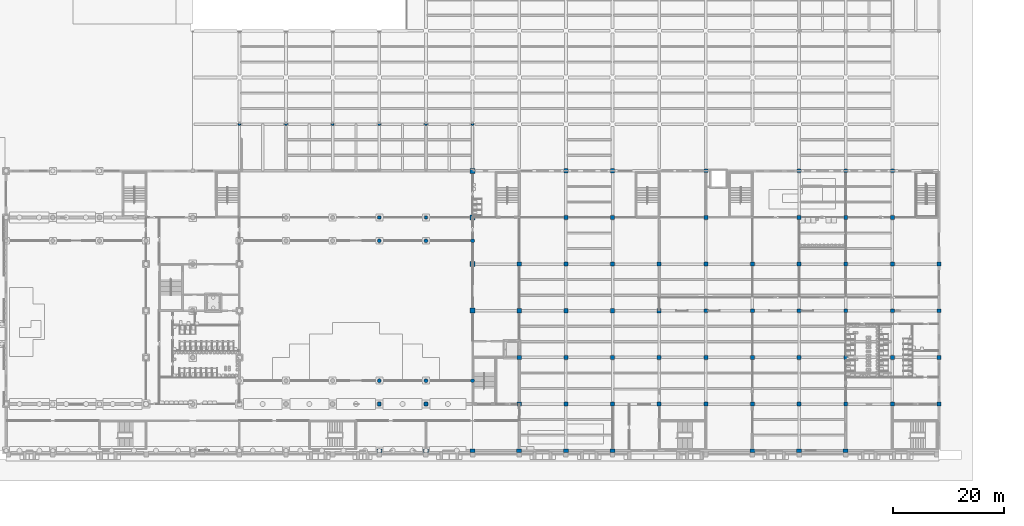
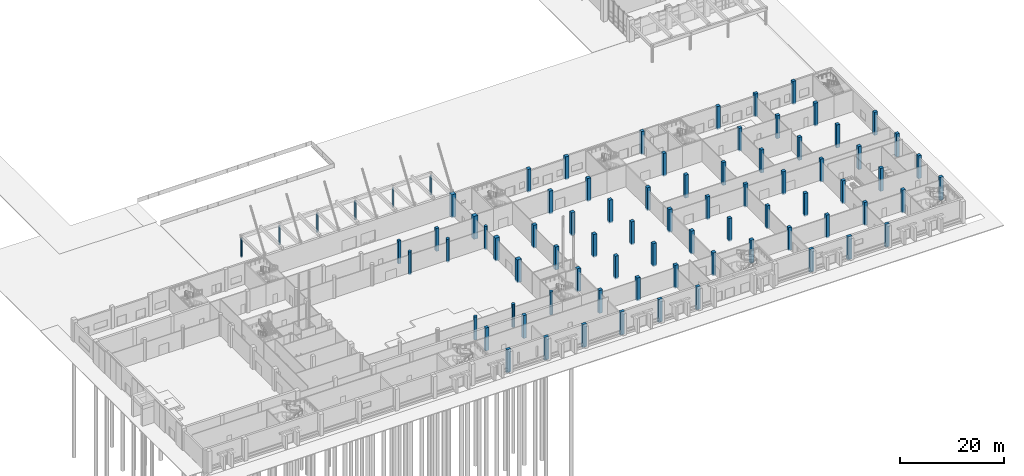
# One storey, part 3 of 74: 81 columns.
"""IFC4 building model written with IfcOpenShell, lengths in metres."""

from ifc_helpers import new_model, si_unit, direction, frame, origin, origin_2d, place, context, subcontext, project, spatial, rectangle, circle, extrude, material, material_profile, profile_set, type_object, element, save


model = new_model("IFC4")

# Units and contexts
model_context = context("Model", 3, precision=1e-05, world=origin(), true_north=direction((0.0, 1.0)))
body_context = subcontext(model_context, "Body", "Model", "MODEL_VIEW")
ifc_project = project(units=[si_unit("LENGTHUNIT", "METRE"), si_unit("AREAUNIT", "SQUARE_METRE"), si_unit("VOLUMEUNIT", "CUBIC_METRE"), si_unit("PLANEANGLEUNIT", "RADIAN"), si_unit("MASSUNIT", "GRAM", prefix="KILO")], contexts=[model_context])

# Site, building, storey
site_placement = place(None, origin())
site = spatial("IfcSite", under=ifc_project, at=site_placement, CompositionType="ELEMENT")
building_placement = place(site_placement, origin())
building = spatial("IfcBuilding", under=site, at=building_placement, Name="Rulbaag Community and Learning Centre", CompositionType="ELEMENT")
storey_placement = place(building_placement, origin())
storey = spatial("IfcBuildingStorey", under=building, at=storey_placement, Name="L00", CompositionType="ELEMENT", Elevation=0.0)

# Columns
ifc_material_1 = material(Name="Concrete M40", Category="concrete")
ifc_material_profile_1 = material_profile(ifc_material_1, rectangle(XDim=0.89990234375, YDim=0.60009765625, at=origin_2d()), Name="RC900x600")
ifc_profile_set_1 = profile_set([ifc_material_profile_1], Name="Concrete M40")
column_type_1 = type_object("IfcColumnType", Name="C1 Pilaster 900x600 Concrete M40", PredefinedType="PILASTER", material=ifc_profile_set_1)
for number, where, z_axis, x_axis, name in (
    (1, (67.199951171875, 0.0, -0.300048828125), (0.0, 0.0, 1.0), (1.0, 0.0, 0.0), "COL-9A-L00"),
    (2, (75.60009765625, 0.0, -0.300048828125), (0.0, 0.0, 1.0), (1.0, 0.0, 0.0), "COL-10A-L00"),
    (3, (84.0, 0.0, -0.300048828125), (0.0, 0.0, 1.0), (1.0, 0.0, 0.0), "COL-11A-L00"),
    (4, (92.39990234375, 0.0, -0.300048828125), (0.0, 0.0, 1.0), (1.0, 0.0, 0.0), "COL-12A-L00"),
    (5, (100.800048828125, 0.0, -0.300048828125), (0.0, 0.0, 1.0), (1.0, 0.0, 0.0), "COL-13A-L00"),
    (6, (109.199951171875, 0.0, -0.300048828125), (0.0, 0.0, 1.0), (1.0, 0.0, 0.0), "COL-14A-L00"),
    (7, (134.39990234375, 0.0, -0.300048828125), (0.0, 0.0, 1.0), (1.0, 0.0, 0.0), "COL-17A-L00"),
    (8, (142.800048828125, 0.0, -0.300048828125), (0.0, 0.0, 1.0), (1.0, 0.0, 0.0), "COL-18A-L00"),
    (9, (151.199951171875, 0.0, -0.300048828125), (0.0, 0.0, 1.0), (1.0, 0.0, 0.0), "COL-19A-L00"),
):
    element("IfcColumn", number, at=place(storey_placement, frame(where, z_axis=z_axis, x_axis=x_axis)), inside=storey, type_object=column_type_1, Name=name, PredefinedType="PILASTER", context=body_context, shape_type="SweptSolid", body=[
        extrude(rectangle(XDim=0.89990234375, YDim=0.60009765625, at=origin_2d()), origin(), (0.0, 0.0, 1.0), 5.400146484375),
    ])
ifc_material_profile_2 = material_profile(ifc_material_1, circle(Radius=0.35009765625, at=origin_2d()), Name="RD700")
ifc_profile_set_2 = profile_set([ifc_material_profile_2], Name="Concrete M40")
column_type_2 = type_object("IfcColumnType", Name="C11 Circular column 700 Concrete M40", PredefinedType="COLUMN", material=ifc_profile_set_2)
for number, where, z_axis, x_axis, name in (
    (10, (67.199951171875, 12.60009765625, -0.300048828125), (0.0, 0.0, 1.0), (1.0, 0.0, 0.0), "COL-G67x12.6-L00"),
    (11, (67.199951171875, 37.800048828125, -0.300048828125), (0.0, 0.0, 1.0), (1.0, 0.0, 0.0), "COL-G67x37.8-L00"),
    (12, (75.60009765625, 12.60009765625, -0.300048828125), (0.0, 0.0, 1.0), (1.0, 0.0, 0.0), "COL-G76x12.6-L00"),
    (13, (75.60009765625, 37.800048828125, -0.300048828125), (0.0, 0.0, 1.0), (1.0, 0.0, 0.0), "COL-G76x37.8-L00"),
    (14, (84.0, 12.60009765625, -0.300048828125), (0.0, 0.0, 1.0), (1.0, 0.0, 0.0), "COL-G84x12.6-L00"),
    (15, (84.0, 37.800048828125, -0.300048828125), (0.0, 0.0, 1.0), (1.0, 0.0, 0.0), "COL-G84x37.8-L00"),
):
    element("IfcColumn", number, at=place(storey_placement, frame(where, z_axis=z_axis, x_axis=x_axis)), inside=storey, type_object=column_type_2, Name=name, PredefinedType="COLUMN", context=body_context, shape_type="SweptSolid", body=[
        extrude(circle(Radius=0.35009765625, at=origin_2d()), origin(), (0.0, 0.0, 1.0), 5.400146484375),
    ])
ifc_material_2 = material(Name="Concrete M60", Category="concrete")
ifc_material_profile_3 = material_profile(ifc_material_2, rectangle(XDim=0.89990234375, YDim=0.89990234375, at=origin_2d()), Name="RC900x900")
ifc_profile_set_3 = profile_set([ifc_material_profile_3], Name="Concrete M60")
column_type_3 = type_object("IfcColumnType", Name="C2 Column 900x900 Concrete M60", PredefinedType="COLUMN", material=ifc_profile_set_3)
for number, where, z_axis, x_axis, name in (
    (16, (84.0, 25.199951171875, -0.300048828125), (0.0, 0.0, 1.0), (1.0, 0.0, 0.0), "COL-11D-L00"),
    (17, (84.0, 33.60009765625, -0.300048828125), (0.0, 0.0, 1.0), (1.0, 0.0, 0.0), "COL-11E-L00"),
    (18, (84.0, 42.0, -0.300048828125), (0.0, 0.0, 1.0), (1.0, 0.0, 0.0), "COL-11F-L00"),
    (19, (84.0, 50.39990234375, -0.300048828125), (0.0, 0.0, 1.0), (1.0, 0.0, 0.0), "COL-11G-L00"),
):
    element("IfcColumn", number, at=place(storey_placement, frame(where, z_axis=z_axis, x_axis=x_axis)), inside=storey, type_object=column_type_3, Name=name, PredefinedType="COLUMN", context=body_context, shape_type="SweptSolid", body=[
        extrude(rectangle(XDim=0.89990234375, YDim=0.89990234375, at=origin_2d()), origin(), (0.0, 0.0, 1.0), 5.400146484375),
    ])
ifc_material_profile_4 = material_profile(ifc_material_1, rectangle(XDim=0.699951171875, YDim=0.699951171875, at=origin_2d()), Name="RC700x700")
ifc_profile_set_4 = profile_set([ifc_material_profile_4], Name="Concrete M40")
column_type_4 = type_object("IfcColumnType", Name="C5 Column 700x700 Concrete M40", PredefinedType="COLUMN", material=ifc_profile_set_4)
for number, where, z_axis, x_axis, name in (
    (20, (67.199951171875, 8.39990234375, -0.300048828125), (0.0, 0.0, 1.0), (1.0, 0.0, 0.0), "COL-9B-L00"),
    (21, (75.60009765625, 8.39990234375, -0.300048828125), (0.0, 0.0, 1.0), (1.0, 0.0, 0.0), "COL-10B-L00"),
    (22, (126.0, 8.39990234375, -0.300048828125), (0.0, 0.0, 1.0), (1.0, 0.0, 0.0), "COL-16B-L00"),
    (23, (126.0, 16.800048828125, -0.300048828125), (0.0, 0.0, 1.0), (1.0, 0.0, 0.0), "COL-16C-L00"),
    (24, (126.0, 25.199951171875, -0.300048828125), (0.0, 0.0, 1.0), (1.0, 0.0, 0.0), "COL-16D-L00"),
    (25, (126.0, 33.60009765625, -0.300048828125), (0.0, 0.0, 1.0), (1.0, 0.0, 0.0), "COL-16E-L00"),
    (26, (126.0, 42.0, -0.300048828125), (0.0, 0.0, 1.0), (1.0, 0.0, 0.0), "COL-16F-L00"),
    (27, (126.0, 50.39990234375, -0.300048828125), (0.0, 0.0, 1.0), (1.0, 0.0, 0.0), "COL-16G-L00"),
    (28, (134.39990234375, 8.39990234375, -0.300048828125), (0.0, 0.0, 1.0), (1.0, 0.0, 0.0), "COL-17B-L00"),
    (29, (134.39990234375, 16.800048828125, -0.300048828125), (0.0, 0.0, 1.0), (1.0, 0.0, 0.0), "COL-17C-L00"),
    (30, (134.39990234375, 25.199951171875, -0.300048828125), (0.0, 0.0, 1.0), (1.0, 0.0, 0.0), "COL-17D-L00"),
    (31, (134.39990234375, 33.60009765625, -0.300048828125), (0.0, 0.0, 1.0), (1.0, 0.0, 0.0), "COL-17E-L00"),
    (32, (142.800048828125, 8.39990234375, -0.300048828125), (0.0, 0.0, 1.0), (1.0, 0.0, 0.0), "COL-18B-L00"),
    (33, (142.800048828125, 16.800048828125, -0.300048828125), (0.0, 0.0, 1.0), (1.0, 0.0, 0.0), "COL-18C-L00"),
    (34, (142.800048828125, 25.199951171875, -0.300048828125), (0.0, 0.0, 1.0), (1.0, 0.0, 0.0), "COL-18D-L00"),
    (35, (142.800048828125, 33.60009765625, -0.300048828125), (0.0, 0.0, 1.0), (1.0, 0.0, 0.0), "COL-18E-L00"),
    (36, (142.800048828125, 42.0, -0.300048828125), (0.0, 0.0, 1.0), (1.0, 0.0, 0.0), "COL-18F-L00"),
    (37, (142.800048828125, 50.39990234375, -0.300048828125), (0.0, 0.0, 1.0), (1.0, 0.0, 0.0), "COL-18G-L00"),
    (38, (151.199951171875, 8.39990234375, -0.300048828125), (0.0, 0.0, 1.0), (1.0, 0.0, 0.0), "COL-19B-L00"),
    (39, (151.199951171875, 16.800048828125, -0.300048828125), (0.0, 0.0, 1.0), (1.0, 0.0, 0.0), "COL-19C-L00"),
    (40, (151.199951171875, 25.199951171875, -0.300048828125), (0.0, 0.0, 1.0), (1.0, 0.0, 0.0), "COL-19D-L00"),
    (41, (151.199951171875, 33.60009765625, -0.300048828125), (0.0, 0.0, 1.0), (1.0, 0.0, 0.0), "COL-19E-L00"),
    (42, (151.199951171875, 42.0, -0.300048828125), (0.0, 0.0, 1.0), (1.0, 0.0, 0.0), "COL-19F-L00"),
    (43, (151.199951171875, 50.39990234375, -0.300048828125), (0.0, 0.0, 1.0), (1.0, 0.0, 0.0), "COL-19G-L00"),
    (44, (159.60009765625, 8.39990234375, -0.300048828125), (0.0, 0.0, 1.0), (1.0, 0.0, 0.0), "COL-20B-L00"),
    (45, (159.60009765625, 16.800048828125, -0.300048828125), (0.0, 0.0, 1.0), (1.0, 0.0, 0.0), "COL-20C-L00"),
    (46, (159.60009765625, 25.199951171875, -0.300048828125), (0.0, 0.0, 1.0), (1.0, 0.0, 0.0), "COL-20D-L00"),
    (47, (159.60009765625, 33.60009765625, -0.300048828125), (0.0, 0.0, 1.0), (1.0, 0.0, 0.0), "COL-20E-L00"),
    (48, (159.60009765625, 42.0, -0.300048828125), (0.0, 0.0, 1.0), (1.0, 0.0, 0.0), "COL-20F-L00"),
    (49, (159.60009765625, 50.39990234375, -0.300048828125), (0.0, 0.0, 1.0), (1.0, 0.0, 0.0), "COL-20G-L00"),
    (50, (168.0, 8.39990234375, -0.300048828125), (0.0, 0.0, 1.0), (1.0, 0.0, 0.0), "COL-21B-L00"),
    (51, (168.0, 16.800048828125, -0.300048828125), (0.0, 0.0, 1.0), (1.0, 0.0, 0.0), "COL-21C-L00"),
    (52, (168.0, 25.199951171875, -0.300048828125), (0.0, 0.0, 1.0), (1.0, 0.0, 0.0), "COL-21D-L00"),
    (53, (168.0, 33.60009765625, -0.300048828125), (0.0, 0.0, 1.0), (1.0, 0.0, 0.0), "COL-21E-L00"),
):
    element("IfcColumn", number, at=place(storey_placement, frame(where, z_axis=z_axis, x_axis=x_axis)), inside=storey, type_object=column_type_4, Name=name, PredefinedType="COLUMN", context=body_context, shape_type="SweptSolid", body=[
        extrude(rectangle(XDim=0.699951171875, YDim=0.699951171875, at=origin_2d()), origin(), (0.0, 0.0, 1.0), 5.400146484375),
    ])
ifc_material_profile_5 = material_profile(ifc_material_1, rectangle(XDim=0.60009765625, YDim=0.60009765625, at=origin_2d()), Name="RC600x600")
ifc_profile_set_5 = profile_set([ifc_material_profile_5], Name="Concrete M40")
column_type_5 = type_object("IfcColumnType", Name="C7 Column 600x600 Concrete M40", PredefinedType="COLUMN", material=ifc_profile_set_5)
for number, where, z_axis, x_axis, name in (
    (54, (67.199951171875, 42.0, -0.300048828125), (0.0, 0.0, 1.0), (1.0, 0.0, 0.0), "COL-9F-L00"),
    (55, (75.60009765625, 42.0, -0.300048828125), (0.0, 0.0, 1.0), (1.0, 0.0, 0.0), "COL-10F-L00"),
):
    element("IfcColumn", number, at=place(storey_placement, frame(where, z_axis=z_axis, x_axis=x_axis)), inside=storey, type_object=column_type_5, Name=name, PredefinedType="COLUMN", context=body_context, shape_type="SweptSolid", body=[
        extrude(rectangle(XDim=0.60009765625, YDim=0.60009765625, at=origin_2d()), origin(), (0.0, 0.0, 1.0), 5.400146484375),
    ])
ifc_material_profile_6 = material_profile(ifc_material_1, rectangle(XDim=0.75, YDim=0.75, at=origin_2d()), Name="RC750x750")
ifc_profile_set_6 = profile_set([ifc_material_profile_6], Name="Concrete M40")
column_type_6 = type_object("IfcColumnType", Name="C8 Column 750x750 Concrete M40", PredefinedType="COLUMN", material=ifc_profile_set_6)
for number, where, z_axis, x_axis, name in (
    (56, (92.39990234375, 8.39990234375, -0.300048828125), (0.0, 0.0, 1.0), (1.0, 0.0, 0.0), "COL-12B-L00"),
    (57, (92.39990234375, 16.800048828125, -0.300048828125), (0.0, 0.0, 1.0), (1.0, 0.0, 0.0), "COL-12C-L00"),
    (58, (92.39990234375, 25.199951171875, -0.300048828125), (0.0, 0.0, 1.0), (1.0, 0.0, 0.0), "COL-12D-L00"),
    (59, (92.39990234375, 33.60009765625, -0.300048828125), (0.0, 0.0, 1.0), (1.0, 0.0, 0.0), "COL-12E-L00"),
    (60, (100.800048828125, 8.39990234375, -0.300048828125), (0.0, 0.0, 1.0), (1.0, 0.0, 0.0), "COL-13B-L00"),
    (61, (100.800048828125, 16.800048828125, -0.300048828125), (0.0, 0.0, 1.0), (1.0, 0.0, 0.0), "COL-13C-L00"),
    (62, (100.800048828125, 25.199951171875, -0.300048828125), (0.0, 0.0, 1.0), (1.0, 0.0, 0.0), "COL-13D-L00"),
    (63, (100.800048828125, 33.60009765625, -0.300048828125), (0.0, 0.0, 1.0), (1.0, 0.0, 0.0), "COL-13E-L00"),
    (64, (100.800048828125, 42.0, -0.300048828125), (0.0, 0.0, 1.0), (1.0, 0.0, 0.0), "COL-13F-L00"),
    (65, (100.800048828125, 50.39990234375, -0.300048828125), (0.0, 0.0, 1.0), (1.0, 0.0, 0.0), "COL-13G-L00"),
    (66, (109.199951171875, 8.39990234375, -0.300048828125), (0.0, 0.0, 1.0), (1.0, 0.0, 0.0), "COL-14B-L00"),
    (67, (109.199951171875, 16.800048828125, -0.300048828125), (0.0, 0.0, 1.0), (1.0, 0.0, 0.0), "COL-14C-L00"),
    (68, (109.199951171875, 25.199951171875, -0.300048828125), (0.0, 0.0, 1.0), (1.0, 0.0, 0.0), "COL-14D-L00"),
    (69, (109.199951171875, 33.60009765625, -0.300048828125), (0.0, 0.0, 1.0), (1.0, 0.0, 0.0), "COL-14E-L00"),
    (70, (109.199951171875, 42.0, -0.300048828125), (0.0, 0.0, 1.0), (1.0, 0.0, 0.0), "COL-14F-L00"),
    (71, (109.199951171875, 50.39990234375, -0.300048828125), (0.0, 0.0, 1.0), (1.0, 0.0, 0.0), "COL-14G-L00"),
    (72, (117.60009765625, 8.39990234375, -0.300048828125), (0.0, 0.0, 1.0), (1.0, 0.0, 0.0), "COL-15B-L00"),
    (73, (117.60009765625, 16.800048828125, -0.300048828125), (0.0, 0.0, 1.0), (1.0, 0.0, 0.0), "COL-15C-L00"),
    (74, (117.60009765625, 25.199951171875, -0.300048828125), (0.0, 0.0, 1.0), (1.0, 0.0, 0.0), "COL-15D-L00"),
    (75, (117.60009765625, 33.60009765625, -0.300048828125), (0.0, 0.0, 1.0), (1.0, 0.0, 0.0), "COL-15E-L00"),
):
    element("IfcColumn", number, at=place(storey_placement, frame(where, z_axis=z_axis, x_axis=x_axis)), inside=storey, type_object=column_type_6, Name=name, PredefinedType="COLUMN", context=body_context, shape_type="SweptSolid", body=[
        extrude(rectangle(XDim=0.75, YDim=0.75, at=origin_2d()), origin(), (0.0, 0.0, 1.0), 5.400146484375),
    ])
ifc_material_profile_7 = material_profile(ifc_material_1, circle(Radius=0.22509765625, at=origin_2d()), Name="RD450")
ifc_profile_set_7 = profile_set([ifc_material_profile_7], Name="Concrete M40")
column_type_7 = type_object("IfcColumnType", Name="CT1 Porch tip column 450 Concrete M40", PredefinedType="COLUMN", material=ifc_profile_set_7)
for number, where, z_axis, x_axis, name in (
    (76, (42.0, 58.800048828125, -0.300048828125), (0.0, 0.0, 1.0), (1.0, 0.0, 0.0), "COL-PORCH-H1"),
    (77, (50.39990234375, 58.800048828125, -0.300048828125), (0.0, 0.0, 1.0), (1.0, 0.0, 0.0), "COL-PORCH-H2"),
    (78, (58.800048828125, 58.800048828125, -0.300048828125), (0.0, 0.0, 1.0), (1.0, 0.0, 0.0), "COL-PORCH-H3"),
    (79, (67.199951171875, 58.800048828125, -0.300048828125), (0.0, 0.0, 1.0), (1.0, 0.0, 0.0), "COL-PORCH-H4"),
    (80, (75.60009765625, 58.800048828125, -0.300048828125), (0.0, 0.0, 1.0), (1.0, 0.0, 0.0), "COL-PORCH-H5"),
    (81, (84.0, 58.800048828125, -0.300048828125), (0.0, 0.0, 1.0), (1.0, 0.0, 0.0), "COL-PORCH-H6"),
):
    element("IfcColumn", number, at=place(storey_placement, frame(where, z_axis=z_axis, x_axis=x_axis)), inside=storey, type_object=column_type_7, Name=name, PredefinedType="COLUMN", context=body_context, shape_type="SweptSolid", body=[
        extrude(circle(Radius=0.22509765625, at=origin_2d()), origin(), (0.0, 0.0, 1.0), 4.4755859375),
    ])

save(model, "model.ifc")
